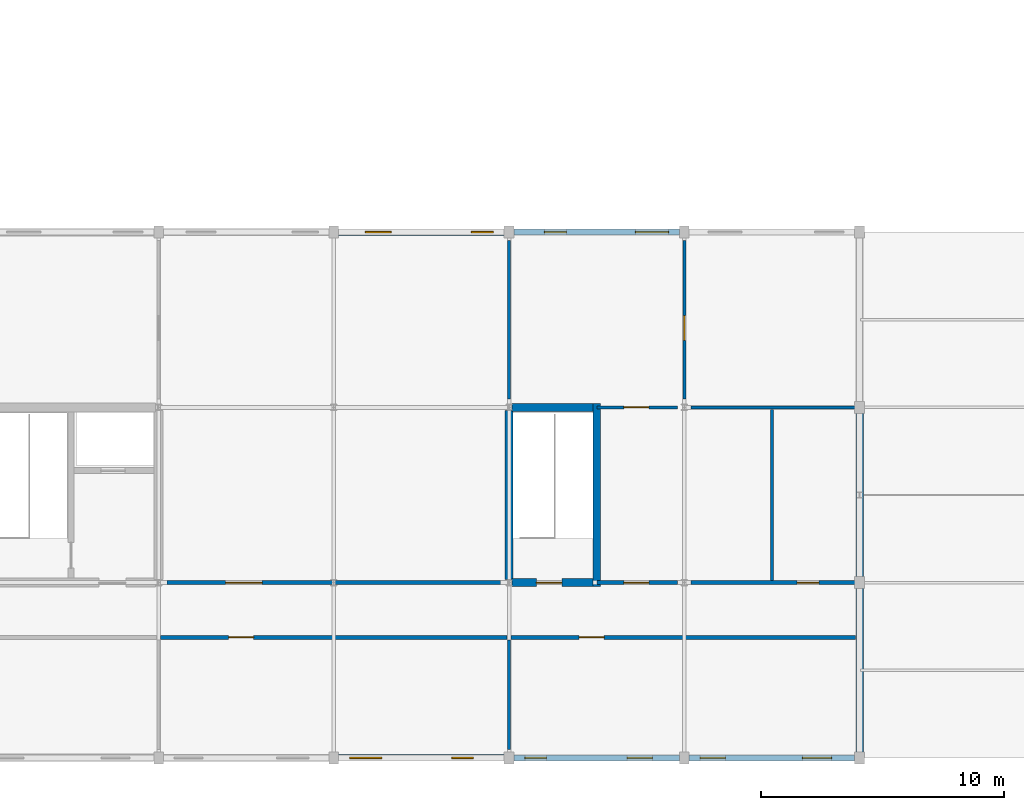
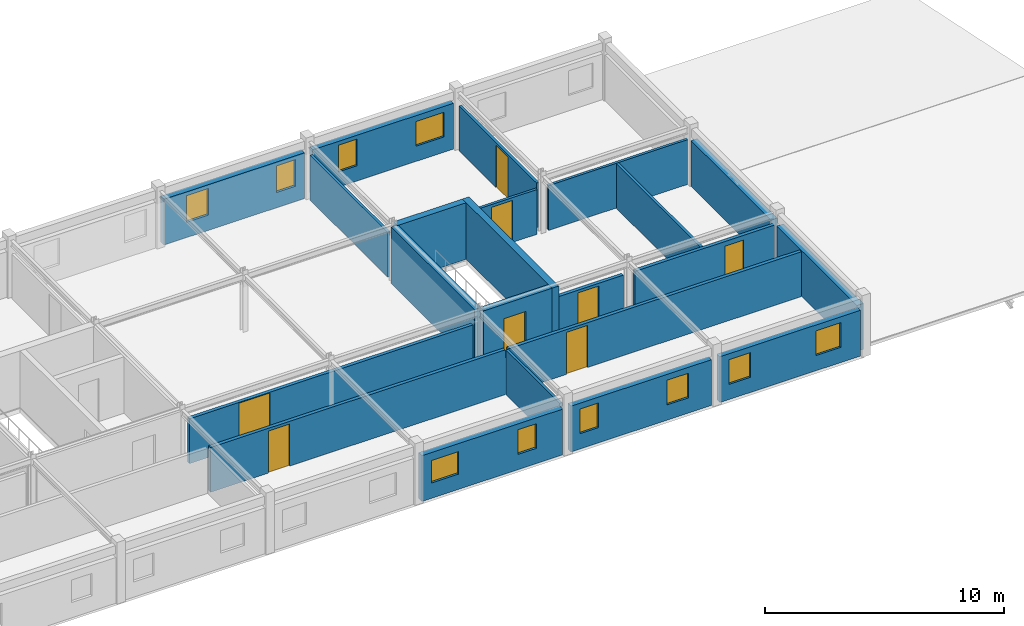
# One storey, part 21 of 50: 22 walls, 10 windows, 8 doors, 18 openings.
"""IFC4 building model written with IfcOpenShell, lengths in metres."""

import ifcopenshell
import ifcopenshell.guid

model = None  # the IFC model being written
_history = None  # IfcOwnerHistory: only IFC2X3 demands one
_inside = {}  # id of a spatial element -> (the spatial element, [elements in it])
_under = {}  # id of a project, library or spatial element -> (it, [spatial elements below it])
_declared = {}  # id of a project -> (the project, [libraries it declares])
_typed = {}  # id of a type object -> (the type object, [elements of that type])
_made_of = {}  # id of a material, layer set ... -> (it, [elements and type objects made of it])


def new_model(schema):
    """Start an empty IFC model of exactly this schema.

    Asked for "IFC4X3", IfcOpenShell would pick the latest addendum, in which some entities
    have other attributes; the version numbers below select the first issue.
    IFC2X3 requires an IfcOwnerHistory on every rooted entity: one is made here for all.
    """
    global model, _history
    if schema == "IFC4X3":
        model = ifcopenshell.file(schema_version=(4, 3, 0, 0))
    else:
        model = ifcopenshell.file(schema=schema)
    _inside.clear()
    _under.clear()
    _declared.clear()
    _typed.clear()
    _made_of.clear()
    _history = None
    if model.schema == "IFC2X3":
        org = make("IfcOrganization", Name="unknown")
        user = make(
            "IfcPersonAndOrganization",
            ThePerson=make("IfcPerson", FamilyName="unknown"),
            TheOrganization=org,
        )
        app = make(
            "IfcApplication",
            ApplicationDeveloper=org,
            Version="unknown",
            ApplicationFullName="unknown",
            ApplicationIdentifier="unknown",
        )
        _history = make(
            "IfcOwnerHistory",
            OwningUser=user,
            OwningApplication=app,
            ChangeAction="ADDED",
            CreationDate=0,
        )
    return model


def make(cls, **values):
    """One entity of the class cls with the attributes given. An attribute that is None is left unset."""
    return model.create_entity(
        cls, **{name: value for name, value in values.items() if value is not None}
    )


def rooted(cls, **values):
    """An entity with a GlobalId (a new one), such as an element, a storey or a relation."""
    return make(cls, GlobalId=ifcopenshell.guid.new(), OwnerHistory=_history, **values)


def si_unit(unit_type, name, prefix=None):
    """IfcSIUnit, for example si_unit("LENGTHUNIT", "METRE", prefix="MILLI")."""
    return make("IfcSIUnit", UnitType=unit_type, Prefix=prefix, Name=name)


def assignment(units):
    """IfcUnitAssignment: the units of a project."""
    return None if units is None else make("IfcUnitAssignment", Units=units)


def point(xyz):
    """IfcCartesianPoint."""
    return None if xyz is None else make("IfcCartesianPoint", Coordinates=xyz)


def direction(xyz):
    """IfcDirection."""
    return None if xyz is None else make("IfcDirection", DirectionRatios=xyz)


def frame(location, z_axis=None, x_axis=None):
    """IfcAxis2Placement3D, a coordinate frame: its origin and axes. An axis left out is left unset."""
    return make(
        "IfcAxis2Placement3D",
        Location=point(location),
        Axis=direction(z_axis),
        RefDirection=direction(x_axis),
    )


def frame_2d(location, x_axis=None):
    """IfcAxis2Placement2D, a coordinate frame in the plane: its origin and x axis."""
    return make(
        "IfcAxis2Placement2D", Location=point(location), RefDirection=direction(x_axis)
    )


def origin():
    """The frame at (0, 0, 0) with its axes left unset."""
    return frame((0.0, 0.0, 0.0))


def place(relative_to, where):
    """IfcLocalPlacement: puts the frame where relative to a parent placement (None: the world)."""
    return make(
        "IfcLocalPlacement", PlacementRelTo=relative_to, RelativePlacement=where
    )


def context(
    kind, dimensions, precision=None, world=None, true_north=None, identifier=None
):
    """IfcGeometricRepresentationContext, for example the 3D "Model" context."""
    return make(
        "IfcGeometricRepresentationContext",
        ContextIdentifier=identifier,
        ContextType=kind,
        CoordinateSpaceDimension=dimensions,
        Precision=precision,
        WorldCoordinateSystem=world,
        TrueNorth=true_north,
    )


def subcontext(parent, identifier, kind, view, scale=None):
    """IfcGeometricRepresentationSubContext, for example "Body" below "Model"."""
    return make(
        "IfcGeometricRepresentationSubContext",
        ContextIdentifier=identifier,
        ContextType=kind,
        ParentContext=parent,
        TargetScale=scale,
        TargetView=view,
    )


def project(units=None, contexts=None):
    """IfcProject with its units and contexts."""
    return rooted(
        "IfcProject",
        Name="project",
        RepresentationContexts=contexts,
        UnitsInContext=assignment(units),
    )


def spatial(cls, under=None, at=None, **own):
    """A site, building, storey or space (cls), placed at a placement, below another one or the project."""
    s = rooted(cls, ObjectPlacement=at, **own)
    if under is not None:
        _under.setdefault(under.id(), (under, []))[1].append(s)
    return s


def profile(cls, at=None, kind="AREA", **sizes):
    """A parametric profile (cls). Its sizes go by their IFC names, for example OverallWidth=200.0."""
    return make(cls, ProfileType=kind, Position=at, **sizes)


def rectangle(**sizes):
    """IfcRectangleProfileDef."""
    return profile("IfcRectangleProfileDef", **sizes)


def extrude(swept, where, along, depth):
    """IfcExtrudedAreaSolid: the profile swept, set in the frame where, extruded along a direction by depth."""
    return make(
        "IfcExtrudedAreaSolid",
        SweptArea=swept,
        Position=where,
        ExtrudedDirection=direction(along),
        Depth=depth,
    )


def shape(context_of_items, identifier, shape_type, items):
    """IfcShapeRepresentation: the items that make up one representation, for example the "Body"."""
    return make(
        "IfcShapeRepresentation",
        ContextOfItems=context_of_items,
        RepresentationIdentifier=identifier,
        RepresentationType=shape_type,
        Items=items,
    )


def material(Name=None, Category=None):
    """IfcMaterial."""
    return make("IfcMaterial", Name=Name, Category=Category)


def layer(
    of_material, thickness, ventilated=None, Name=None, Category=None, Priority=None
):
    """IfcMaterialLayer: one layer of a wall or slab, of a material (None: an air gap)."""
    return make(
        "IfcMaterialLayer",
        Material=of_material,
        LayerThickness=thickness,
        IsVentilated=ventilated,
        Name=Name,
        Category=Category,
        Priority=Priority,
    )


def layer_set(layers, Name=None):
    """IfcMaterialLayerSet."""
    return make("IfcMaterialLayerSet", MaterialLayers=layers, LayerSetName=Name)


def made_of(thing, what):
    """Note that an element or type object is made of a material, layer set ...; save() writes the relation."""
    if what is not None:
        _made_of.setdefault(what.id(), (what, []))[1].append(thing)
    return thing


def type_object(cls, material=None, **own):
    """A type object (cls), such as IfcWallType, which elements share."""
    return made_of(rooted(cls, **own), material)


def element(
    cls,
    number,
    at=None,
    inside=None,
    cuts=None,
    type_object=None,
    material=None,
    context=None,
    identifier="Body",
    shape_type=None,
    held_by="IfcProductDefinitionShape",
    body=None,
    shapes=None,
    **own,
):
    """One element of the class cls, such as IfcWall. Its Tag is "e" and its number.

    at: its placement. inside: the storey or other place that contains it. cuts: it is an
    opening in that element (IfcRelVoidsElement). A single representation is given by context,
    identifier, shape_type and body (its items); several are given by shapes. held_by: the class
    of the entity that holds the representations. save() writes the other relations.
    """
    e = rooted(cls, Tag="e%d" % number, ObjectPlacement=at, **own)
    if body is not None:
        shapes = [shape(context, identifier, shape_type, body)]
    if shapes is not None:
        e.Representation = make(held_by, Representations=shapes)
    if inside is not None:
        _inside.setdefault(inside.id(), (inside, []))[1].append(e)
    if cuts is not None:
        rooted(
            "IfcRelVoidsElement", RelatingBuildingElement=cuts, RelatedOpeningElement=e
        )
    if type_object is not None:
        _typed.setdefault(type_object.id(), (type_object, []))[1].append(e)
    return made_of(e, material)


def fill(opening, filler):
    """IfcRelFillsElement: the door or window that sits in an opening."""
    return rooted(
        "IfcRelFillsElement",
        RelatingOpeningElement=opening,
        RelatedBuildingElement=filler,
    )


def aggregate(whole, parts):
    """IfcRelAggregates: a whole, such as a stair, and the parts it consists of."""
    return rooted("IfcRelAggregates", RelatingObject=whole, RelatedObjects=parts)


def save(model, path):
    """Write the relations noted so far, then the file.

    IfcRelAggregates (storeys below a building ...), IfcRelContainedInSpatialStructure (elements
    in a storey), IfcRelDefinesByType, IfcRelAssociatesMaterial and IfcRelDeclares: one each for
    every whole, place, type object, material and project.
    """
    for whole, parts in _under.values():
        aggregate(whole, parts)
    for where, things in _inside.values():
        rooted(
            "IfcRelContainedInSpatialStructure",
            RelatedElements=things,
            RelatingStructure=where,
        )
    for kind, things in _typed.values():
        rooted("IfcRelDefinesByType", RelatedObjects=things, RelatingType=kind)
    for what, things in _made_of.values():
        rooted("IfcRelAssociatesMaterial", RelatedObjects=things, RelatingMaterial=what)
    for by, libraries in _declared.values():
        rooted("IfcRelDeclares", RelatingContext=by, RelatedDefinitions=libraries)
    model.write(path)


model = new_model("IFC4")

# Units and contexts
model_context = context("Model", 3, precision=1e-05, world=origin(), true_north=direction((0.0, 1.0)))
body_context = subcontext(model_context, "Body", "Model", "MODEL_VIEW")
ifc_project = project(units=[si_unit("LENGTHUNIT", "METRE"), si_unit("AREAUNIT", "SQUARE_METRE"), si_unit("VOLUMEUNIT", "CUBIC_METRE"), si_unit("PLANEANGLEUNIT", "RADIAN"), si_unit("MASSUNIT", "GRAM", prefix="KILO"), si_unit("THERMODYNAMICTEMPERATUREUNIT", "KELVIN"), si_unit("POWERUNIT", "WATT")], contexts=[model_context])

# Site, building, storey
site_placement = place(None, origin())
site = spatial("IfcSite", under=ifc_project, at=site_placement, CompositionType="ELEMENT")
building_placement = place(site_placement, origin())
building = spatial("IfcBuilding", under=site, at=building_placement, Name="Tavuni Mirador Residences", CompositionType="ELEMENT")
storey_placement = place(building_placement, frame((0.0, 0.0, 4.5)))
storey = spatial("IfcBuildingStorey", under=building, at=storey_placement, Name="L01", CompositionType="ELEMENT", Elevation=4.5)

# Walls
ifc_material_1 = material(Name="Precast concrete C40/50", Category="concrete")
ifc_layer_1 = layer(ifc_material_1, 0.320068359375, Name="Precast concrete C40/50", Category="concrete")
ifc_layer_set_1 = layer_set([ifc_layer_1], Name="Precast concrete C40/50")
wall_type_1 = type_object("IfcWallType", Name="WT-COR320", PredefinedType="SHEAR", material=ifc_layer_set_1)
wall_1_placement = place(storey_placement, frame((75.60009765625, 14.52001953125, 0.0), z_axis=(0.0, 0.0, 1.0), x_axis=(0.0, 1.0, 0.0)))
element("IfcWall", 1, at=wall_1_placement, inside=storey, type_object=wall_type_1, Name="CWALL-CS2-L01-W", PredefinedType="SHEAR", context=body_context, shape_type="SweptSolid", body=[
    extrude(rectangle(XDim=6.9599609375, YDim=0.320068359375, at=frame_2d((3.47998046875, 0.0))), origin(), (0.0, 0.0, 1.0), 2.889892578125),
])
wall_2_placement = place(storey_placement, frame((79.199951171875, 14.239990234375, 0.0), z_axis=(0.0, 0.0, 1.0), x_axis=(0.0, 1.0, 0.0)))
element("IfcWall", 2, at=wall_2_placement, inside=storey, type_object=wall_type_1, Name="CWALL-CS2-L01-E", PredefinedType="SHEAR", context=body_context, shape_type="SweptSolid", body=[
    extrude(rectangle(XDim=7.52001953125, YDim=0.320068359375, at=frame_2d((3.760009765625, 0.0))), origin(), (0.0, 0.0, 1.0), 2.889892578125),
])
wall_3_placement = place(storey_placement, frame((75.719970703125, 21.60009765625, 0.0), z_axis=(0.0, 0.0, 1.0), x_axis=(1.0, 0.0, 0.0)))
element("IfcWall", 3, at=wall_3_placement, inside=storey, type_object=wall_type_1, Name="CWALL-CS2-L01-N", PredefinedType="SHEAR", context=body_context, shape_type="SweptSolid", body=[
    extrude(rectangle(XDim=3.320068359375, YDim=0.320068359375, at=frame_2d((1.66015625, 0.0))), origin(), (0.0, 0.0, 1.0), 2.889892578125),
])

# Wall, opening, door
wall_4_placement = place(storey_placement, frame((75.719970703125, 14.39990234375, 0.0), z_axis=(0.0, 0.0, 1.0), x_axis=(1.0, 0.0, 0.0)))
wall_4 = element("IfcWall", 4, at=wall_4_placement, inside=storey, type_object=wall_type_1, Name="CWALL-CS2-L01-SS", PredefinedType="SHEAR", context=body_context, shape_type="SweptSolid", body=[
    extrude(rectangle(XDim=3.320068359375, YDim=0.320068359375, at=frame_2d((1.66015625, 0.0))), origin(), (0.0, 0.0, 1.0), 2.889892578125),
])
opening_1_placement = place(wall_4_placement, frame((1.0, 0.0, 0.0)))
opening_1 = element("IfcOpeningElement", 5, at=opening_1_placement, cuts=wall_4, Name="Opening D-01", PredefinedType="OPENING", context=body_context, shape_type="SweptSolid", body=[
    extrude(rectangle(XDim=1.050048828125, YDim=2.14990234375, at=frame_2d((0.52490234375, 1.074951171875))), frame((0.0, 0.169921875, 0.0), z_axis=(0.0, -1.0, 0.0), x_axis=(1.0, 0.0, 0.0)), (0.0, 0.0, 1.0), 0.340087890625),
])
ifc_material_2 = material(Name="Solid core iroko timber", Category="wood")
door_type_1 = type_object("IfcDoorType", Name="DT-ST1050", OperationType="NOTDEFINED", PredefinedType="DOOR", material=ifc_material_2)
door_1_placement = place(opening_1_placement, frame((1.050048828125, 0.0, 0.0), z_axis=(0.0, 0.0, 1.0), x_axis=(-1.0, 0.0, 0.0)))
door_1 = element("IfcDoor", 6, at=door_1_placement, inside=storey, type_object=door_type_1, Name="DR-2364", OperationType="SINGLE_SWING_LEFT", OverallHeight=2.14990234375, OverallWidth=1.050048828125, PredefinedType="DOOR", context=body_context, shape_type="SweptSolid", body=[
    extrude(rectangle(XDim=1.050048828125, YDim=2.14990234375, at=frame_2d((0.52490234375, 1.074951171875))), frame((0.0, 0.02490234375, 0.0), z_axis=(0.0, -1.0, 0.0), x_axis=(1.0, 0.0, 0.0)), (0.0, 0.0, 1.0), 0.050048828125),
])
fill(opening_1, door_1)

ifc_layer_2 = layer(ifc_material_1, 0.1650390625, Name="Precast concrete C40/50", Category="concrete")
ifc_layer_set_2 = layer_set([ifc_layer_2], Name="Precast concrete C40/50")
wall_type_2 = type_object("IfcWallType", Name="WT-CORR165", PredefinedType="PARTITIONING", material=ifc_layer_set_2)
wall_5_placement = place(storey_placement, frame((61.280029296875, 12.14990234375, 0.0), z_axis=(0.0, 0.0, 1.0), x_axis=(1.0, 0.0, 0.0)))
wall_5 = element("IfcWall", 7, at=wall_5_placement, inside=storey, type_object=wall_type_2, Name="PW-SHOP-L01-CS2", PredefinedType="PARTITIONING", context=body_context, shape_type="SweptSolid", body=[
    extrude(rectangle(XDim=14.239990234375, YDim=0.1650390625, at=frame_2d((7.1201171875, 0.0))), origin(), (0.0, 0.0, 1.0), 2.2900390625),
])
opening_2_placement = place(wall_5_placement, frame((2.800048828125, 0.0, 0.0)))
opening_2 = element("IfcOpeningElement", 8, at=opening_2_placement, cuts=wall_5, Name="Opening D-13", PredefinedType="OPENING", context=body_context, shape_type="SweptSolid", body=[
    extrude(rectangle(XDim=1.02001953125, YDim=2.14990234375, at=frame_2d((0.510009765625, 1.074951171875))), frame((0.0, 0.092529296875, 0.0), z_axis=(0.0, -1.0, 0.0), x_axis=(1.0, 0.0, 0.0)), (0.0, 0.0, 1.0), 0.18505859375),
])
door_type_2 = type_object("IfcDoorType", Name="DT-MTG1020", OperationType="NOTDEFINED", PredefinedType="DOOR", material=ifc_material_2)
door_2_placement = place(opening_2_placement, origin())
door_2 = element("IfcDoor", 9, at=door_2_placement, inside=storey, type_object=door_type_2, Name="DR-4826", OperationType="SINGLE_SWING_LEFT", OverallHeight=2.14990234375, OverallWidth=1.02001953125, PredefinedType="DOOR", context=body_context, shape_type="SweptSolid", body=[
    extrude(rectangle(XDim=1.02001953125, YDim=2.14990234375, at=frame_2d((0.510009765625, 1.074951171875))), frame((0.0, 0.02490234375, 0.0), z_axis=(0.0, -1.0, 0.0), x_axis=(1.0, 0.0, 0.0)), (0.0, 0.0, 1.0), 0.050048828125),
])
fill(opening_2, door_2)

wall_6_placement = place(storey_placement, frame((75.679931640625, 12.14990234375, 0.0), z_axis=(0.0, 0.0, 1.0), x_axis=(1.0, 0.0, 0.0)))
wall_6 = element("IfcWall", 10, at=wall_6_placement, inside=storey, type_object=wall_type_2, Name="PW-SHOP-L01-CS3", PredefinedType="PARTITIONING", context=body_context, shape_type="SweptSolid", body=[
    extrude(rectangle(XDim=14.14501953125, YDim=0.1650390625, at=frame_2d((7.072509765625, 0.0))), origin(), (0.0, 0.0, 1.0), 2.2900390625),
])
opening_3_placement = place(wall_6_placement, frame((2.800048828125, 0.0, 0.0)))
opening_3 = element("IfcOpeningElement", 11, at=opening_3_placement, cuts=wall_6, Name="Opening D-13", PredefinedType="OPENING", context=body_context, shape_type="SweptSolid", body=[
    extrude(rectangle(XDim=1.02001953125, YDim=2.14990234375, at=frame_2d((0.510009765625, 1.074951171875))), frame((0.0, 0.092529296875, 0.0), z_axis=(0.0, -1.0, 0.0), x_axis=(1.0, 0.0, 0.0)), (0.0, 0.0, 1.0), 0.18505859375),
])
door_3_placement = place(opening_3_placement, origin())
door_3 = element("IfcDoor", 12, at=door_3_placement, inside=storey, type_object=door_type_2, Name="DR-4827", OperationType="SINGLE_SWING_RIGHT", OverallHeight=2.14990234375, OverallWidth=1.02001953125, PredefinedType="DOOR", context=body_context, shape_type="SweptSolid", body=[
    extrude(rectangle(XDim=1.02001953125, YDim=2.14990234375, at=frame_2d((0.510009765625, 1.074951171875))), frame((0.0, 0.02490234375, 0.0), z_axis=(0.0, -1.0, 0.0), x_axis=(1.0, 0.0, 0.0)), (0.0, 0.0, 1.0), 0.050048828125),
])
fill(opening_3, door_3)

wall_7_placement = place(storey_placement, frame((61.550048828125, 14.39990234375, 0.0), z_axis=(0.0, 0.0, 1.0), x_axis=(1.0, 0.0, 0.0)))
wall_7 = element("IfcWall", 13, at=wall_7_placement, inside=storey, type_object=wall_type_2, Name="PW-SHOP-L01-CN2", PredefinedType="PARTITIONING", context=body_context, shape_type="SweptSolid", body=[
    extrude(rectangle(XDim=13.699951171875, YDim=0.1650390625, at=frame_2d((6.85009765625, 0.0))), origin(), (0.0, 0.0, 1.0), 2.2900390625),
])
opening_4_placement = place(wall_7_placement, frame((2.39990234375, 0.0, 0.0)))
opening_4 = element("IfcOpeningElement", 14, at=opening_4_placement, cuts=wall_7, Name="Opening D-12", PredefinedType="OPENING", context=body_context, shape_type="SweptSolid", body=[
    extrude(rectangle(XDim=1.5, YDim=2.25, at=frame_2d((0.75, 1.125))), frame((0.0, 0.092529296875, 0.0), z_axis=(0.0, -1.0, 0.0), x_axis=(1.0, 0.0, 0.0)), (0.0, 0.0, 1.0), 0.18505859375),
])
door_type_3 = type_object("IfcDoorType", Name="DT-HAL1500", OperationType="DOUBLE_DOOR_SINGLE_SWING", PredefinedType="DOOR", material=ifc_material_2)
door_4_placement = place(opening_4_placement, origin())
door_4 = element("IfcDoor", 15, at=door_4_placement, inside=storey, type_object=door_type_3, Name="DR-4829", OperationType="DOUBLE_DOOR_SINGLE_SWING", OverallHeight=2.25, OverallWidth=1.5, PredefinedType="DOOR", context=body_context, shape_type="SweptSolid", body=[
    extrude(rectangle(XDim=1.5, YDim=2.25, at=frame_2d((0.75, 1.125))), frame((0.0, 0.02490234375, 0.0), z_axis=(0.0, -1.0, 0.0), x_axis=(1.0, 0.0, 0.0)), (0.0, 0.0, 1.0), 0.050048828125),
])
fill(opening_4, door_4)

wall_8_placement = place(storey_placement, frame((79.219970703125, 14.39990234375, 0.0), z_axis=(0.0, 0.0, 1.0), x_axis=(1.0, 0.0, 0.0)))
wall_8 = element("IfcWall", 16, at=wall_8_placement, inside=storey, type_object=wall_type_2, Name="PW-SHOP-L01-CN3", PredefinedType="PARTITIONING", context=body_context, shape_type="SweptSolid", body=[
    extrude(rectangle(XDim=3.300048828125, YDim=0.1650390625, at=frame_2d((1.64990234375, 0.0))), origin(), (0.0, 0.0, 1.0), 2.2900390625),
])
opening_5_placement = place(wall_8_placement, frame((1.10009765625, 0.0, 0.0)))
opening_5 = element("IfcOpeningElement", 17, at=opening_5_placement, cuts=wall_8, Name="Opening D-13", PredefinedType="OPENING", context=body_context, shape_type="SweptSolid", body=[
    extrude(rectangle(XDim=1.02001953125, YDim=2.14990234375, at=frame_2d((0.510009765625, 1.074951171875))), frame((0.0, 0.092529296875, 0.0), z_axis=(0.0, -1.0, 0.0), x_axis=(1.0, 0.0, 0.0)), (0.0, 0.0, 1.0), 0.18505859375),
])
door_5_placement = place(opening_5_placement, origin())
door_5 = element("IfcDoor", 18, at=door_5_placement, inside=storey, type_object=door_type_2, Name="DR-4830", OperationType="SINGLE_SWING_LEFT", OverallHeight=2.14990234375, OverallWidth=1.02001953125, PredefinedType="DOOR", context=body_context, shape_type="SweptSolid", body=[
    extrude(rectangle(XDim=1.02001953125, YDim=2.14990234375, at=frame_2d((0.510009765625, 1.074951171875))), frame((0.0, 0.02490234375, 0.0), z_axis=(0.0, -1.0, 0.0), x_axis=(1.0, 0.0, 0.0)), (0.0, 0.0, 1.0), 0.050048828125),
])
fill(opening_5, door_5)

wall_9_placement = place(storey_placement, frame((83.080078125, 14.39990234375, 0.0), z_axis=(0.0, 0.0, 1.0), x_axis=(1.0, 0.0, 0.0)))
wall_9 = element("IfcWall", 19, at=wall_9_placement, inside=storey, type_object=wall_type_2, Name="PW-SHOP-L01-CN4", PredefinedType="PARTITIONING", context=body_context, shape_type="SweptSolid", body=[
    extrude(rectangle(XDim=6.744873046875, YDim=0.1650390625, at=frame_2d((3.37255859375, 0.0))), origin(), (0.0, 0.0, 1.0), 2.2900390625),
])
opening_6_placement = place(wall_9_placement, frame((4.35009765625, 0.0, 0.0)))
opening_6 = element("IfcOpeningElement", 20, at=opening_6_placement, cuts=wall_9, Name="Opening D-09", PredefinedType="OPENING", context=body_context, shape_type="SweptSolid", body=[
    extrude(rectangle(XDim=0.89990234375, YDim=2.050048828125, at=frame_2d((0.449951171875, 1.02490234375))), frame((0.0, 0.092529296875, 0.0), z_axis=(0.0, -1.0, 0.0), x_axis=(1.0, 0.0, 0.0)), (0.0, 0.0, 1.0), 0.18505859375),
])
door_type_4 = type_object("IfcDoorType", Name="DT-WC900", OperationType="NOTDEFINED", PredefinedType="DOOR", material=ifc_material_2)
door_6_placement = place(opening_6_placement, origin())
door_6 = element("IfcDoor", 21, at=door_6_placement, inside=storey, type_object=door_type_4, Name="DR-4831", OperationType="SINGLE_SWING_RIGHT", OverallHeight=2.050048828125, OverallWidth=0.89990234375, PredefinedType="DOOR", context=body_context, shape_type="SweptSolid", body=[
    extrude(rectangle(XDim=0.89990234375, YDim=2.050048828125, at=frame_2d((0.449951171875, 1.02490234375))), frame((0.0, 0.02490234375, 0.0), z_axis=(0.0, -1.0, 0.0), x_axis=(1.0, 0.0, 0.0)), (0.0, 0.0, 1.0), 0.050048828125),
])
fill(opening_6, door_6)

# Wall, openings, windows
ifc_material_3 = material(Name="Sgraffito lime-rendered precast concrete C40/50", Category="concrete")
ifc_layer_3 = layer(ifc_material_3, 0.2451171875, Name="Sgraffito lime-rendered precast concrete C40/50", Category="concrete")
ifc_layer_set_3 = layer_set([ifc_layer_3], Name="Sgraffito lime-rendered precast concrete C40/50")
wall_type_3 = type_object("IfcWallType", Name="WT-EXT-PC245", PredefinedType="SOLIDWALL", material=ifc_layer_set_3)
wall_10_placement = place(storey_placement, frame((83.0, 7.199951171875, 0.0), z_axis=(0.0, 0.0, 1.0), x_axis=(1.0, 0.0, 0.0)))
wall_10 = element("IfcWall", 22, at=wall_10_placement, inside=storey, type_object=wall_type_3, Name="EW-PAV-SHOP-L01-S05", PredefinedType="SOLIDWALL", context=body_context, shape_type="SweptSolid", body=[
    extrude(rectangle(XDim=6.800048828125, YDim=0.2451171875, at=frame_2d((3.39990234375, 0.0))), origin(), (0.0, 0.0, 1.0), 2.340087890625),
])
opening_7_placement = place(wall_10_placement, frame((0.449951171875, 0.0, 0.780029296875)))
opening_7 = element("IfcOpeningElement", 23, at=opening_7_placement, cuts=wall_10, Name="Opening WN-11", PredefinedType="OPENING", context=body_context, shape_type="SweptSolid", body=[
    extrude(rectangle(XDim=1.0400390625, YDim=1.260009765625, at=frame_2d((0.52001953125, 0.6298828125))), frame((0.0, 0.132568359375, 0.0), z_axis=(0.0, -1.0, 0.0), x_axis=(1.0, 0.0, 0.0)), (0.0, 0.0, 1.0), 0.26513671875),
])
opening_8_placement = place(wall_10_placement, frame((4.64990234375, 0.0, 0.780029296875)))
opening_8 = element("IfcOpeningElement", 24, at=opening_8_placement, cuts=wall_10, Name="Opening WN-13", PredefinedType="OPENING", context=body_context, shape_type="SweptSolid", body=[
    extrude(rectangle(XDim=1.199951171875, YDim=1.260009765625, at=frame_2d((0.60009765625, 0.6298828125))), frame((0.0, 0.132568359375, 0.0), z_axis=(0.0, -1.0, 0.0), x_axis=(1.0, 0.0, 0.0)), (0.0, 0.0, 1.0), 0.26513671875),
])
ifc_material_4 = material(Name="Laminated solar-control glass", Category="glass")
window_type_1 = type_object("IfcWindowType", Name="WNT-11", PartitioningType="SINGLE_PANEL", PredefinedType="WINDOW", material=ifc_material_4)
window_1_placement = place(opening_7_placement, origin())
window_1 = element("IfcWindow", 25, at=window_1_placement, inside=storey, type_object=window_type_1, Name="WIN-1899", OverallHeight=1.260009765625, OverallWidth=1.0400390625, PartitioningType="SINGLE_PANEL", PredefinedType="WINDOW", context=body_context, shape_type="SweptSolid", body=[
    extrude(rectangle(XDim=1.0400390625, YDim=1.260009765625, at=frame_2d((0.52001953125, 0.6298828125))), frame((0.0, 0.030029296875, 0.0), z_axis=(0.0, -1.0, 0.0), x_axis=(1.0, 0.0, 0.0)), (0.0, 0.0, 1.0), 0.06005859375),
])
fill(opening_7, window_1)
window_type_2 = type_object("IfcWindowType", Name="WNT-13", PartitioningType="SINGLE_PANEL", PredefinedType="WINDOW", material=ifc_material_4)
window_2_placement = place(opening_8_placement, origin())
window_2 = element("IfcWindow", 26, at=window_2_placement, inside=storey, type_object=window_type_2, Name="WIN-1900", OverallHeight=1.260009765625, OverallWidth=1.199951171875, PartitioningType="SINGLE_PANEL", PredefinedType="WINDOW", context=body_context, shape_type="SweptSolid", body=[
    extrude(rectangle(XDim=1.199951171875, YDim=1.260009765625, at=frame_2d((0.60009765625, 0.6298828125))), frame((0.0, 0.030029296875, 0.0), z_axis=(0.0, -1.0, 0.0), x_axis=(1.0, 0.0, 0.0)), (0.0, 0.0, 1.0), 0.06005859375),
])
fill(opening_8, window_2)

ifc_layer_4 = layer(ifc_material_3, 0.2548828125, Name="Sgraffito lime-rendered precast concrete C40/50", Category="concrete")
ifc_layer_set_4 = layer_set([ifc_layer_4], Name="Sgraffito lime-rendered precast concrete C40/50")
wall_type_4 = type_object("IfcWallType", Name="WT-EXT-PC255", PredefinedType="SOLIDWALL", material=ifc_layer_set_4)
wall_11_placement = place(storey_placement, frame((75.800048828125, 7.199951171875, 0.0), z_axis=(0.0, 0.0, 1.0), x_axis=(1.0, 0.0, 0.0)))
wall_11 = element("IfcWall", 27, at=wall_11_placement, inside=storey, type_object=wall_type_4, Name="EW-PAV-SHOP-L01-S04", PredefinedType="SOLIDWALL", context=body_context, shape_type="SweptSolid", body=[
    extrude(rectangle(XDim=6.800048828125, YDim=0.2548828125, at=frame_2d((3.39990234375, 0.0))), origin(), (0.0, 0.0, 1.0), 2.340087890625),
])
opening_9_placement = place(wall_11_placement, frame((0.449951171875, 0.0, 0.780029296875)))
opening_9 = element("IfcOpeningElement", 28, at=opening_9_placement, cuts=wall_11, Name="Opening WN-09", PredefinedType="OPENING", context=body_context, shape_type="SweptSolid", body=[
    extrude(rectangle(XDim=0.8798828125, YDim=1.260009765625, at=frame_2d((0.43994140625, 0.6298828125))), frame((0.0, 0.137451171875, 0.0), z_axis=(0.0, -1.0, 0.0), x_axis=(1.0, 0.0, 0.0)), (0.0, 0.0, 1.0), 0.27490234375),
])
opening_10_placement = place(wall_11_placement, frame((4.64990234375, 0.0, 0.780029296875)))
opening_10 = element("IfcOpeningElement", 29, at=opening_10_placement, cuts=wall_11, Name="Opening WN-11", PredefinedType="OPENING", context=body_context, shape_type="SweptSolid", body=[
    extrude(rectangle(XDim=1.0400390625, YDim=1.260009765625, at=frame_2d((0.52001953125, 0.6298828125))), frame((0.0, 0.137451171875, 0.0), z_axis=(0.0, -1.0, 0.0), x_axis=(1.0, 0.0, 0.0)), (0.0, 0.0, 1.0), 0.27490234375),
])
window_type_3 = type_object("IfcWindowType", Name="WNT-09", PartitioningType="SINGLE_PANEL", PredefinedType="WINDOW", material=ifc_material_4)
window_3_placement = place(opening_9_placement, origin())
window_3 = element("IfcWindow", 30, at=window_3_placement, inside=storey, type_object=window_type_3, Name="WIN-1897", OverallHeight=1.260009765625, OverallWidth=0.8798828125, PartitioningType="SINGLE_PANEL", PredefinedType="WINDOW", context=body_context, shape_type="SweptSolid", body=[
    extrude(rectangle(XDim=0.8798828125, YDim=1.260009765625, at=frame_2d((0.43994140625, 0.6298828125))), frame((0.0, 0.030029296875, 0.0), z_axis=(0.0, -1.0, 0.0), x_axis=(1.0, 0.0, 0.0)), (0.0, 0.0, 1.0), 0.06005859375),
])
fill(opening_9, window_3)
window_4_placement = place(opening_10_placement, origin())
window_4 = element("IfcWindow", 31, at=window_4_placement, inside=storey, type_object=window_type_1, Name="WIN-1898", OverallHeight=1.260009765625, OverallWidth=1.0400390625, PartitioningType="SINGLE_PANEL", PredefinedType="WINDOW", context=body_context, shape_type="SweptSolid", body=[
    extrude(rectangle(XDim=1.0400390625, YDim=1.260009765625, at=frame_2d((0.52001953125, 0.6298828125))), frame((0.0, 0.030029296875, 0.0), z_axis=(0.0, -1.0, 0.0), x_axis=(1.0, 0.0, 0.0)), (0.0, 0.0, 1.0), 0.06005859375),
])
fill(opening_10, window_4)

wall_12_placement = place(storey_placement, frame((82.60009765625, 28.800048828125, 0.0), z_axis=(0.0, 0.0, 1.0), x_axis=(-1.0, 0.0, 0.0)))
wall_12 = element("IfcWall", 32, at=wall_12_placement, inside=storey, type_object=wall_type_4, Name="EW-PAV-SHOP-L01-N04", PredefinedType="SOLIDWALL", context=body_context, shape_type="SweptSolid", body=[
    extrude(rectangle(XDim=6.800048828125, YDim=0.2548828125, at=frame_2d((3.39990234375, 0.0))), origin(), (0.0, 0.0, 1.0), 2.340087890625),
])
opening_11_placement = place(wall_12_placement, frame((0.449951171875, 0.0, 0.780029296875)))
opening_11 = element("IfcOpeningElement", 33, at=opening_11_placement, cuts=wall_12, Name="Opening WN-15", PredefinedType="OPENING", context=body_context, shape_type="SweptSolid", body=[
    extrude(rectangle(XDim=1.360107421875, YDim=1.260009765625, at=frame_2d((0.68017578125, 0.6298828125))), frame((0.0, 0.137451171875, 0.0), z_axis=(0.0, -1.0, 0.0), x_axis=(1.0, 0.0, 0.0)), (0.0, 0.0, 1.0), 0.27490234375),
])
opening_12_placement = place(wall_12_placement, frame((4.64990234375, 0.0, 0.780029296875)))
opening_12 = element("IfcOpeningElement", 34, at=opening_12_placement, cuts=wall_12, Name="Opening WN-17", PredefinedType="OPENING", context=body_context, shape_type="SweptSolid", body=[
    extrude(rectangle(XDim=0.89990234375, YDim=1.360107421875, at=frame_2d((0.449951171875, 0.68017578125))), frame((0.0, 0.137451171875, 0.0), z_axis=(0.0, -1.0, 0.0), x_axis=(1.0, 0.0, 0.0)), (0.0, 0.0, 1.0), 0.27490234375),
])
window_type_4 = type_object("IfcWindowType", Name="WNT-15", PartitioningType="SINGLE_PANEL", PredefinedType="WINDOW", material=ifc_material_4)
window_5_placement = place(opening_11_placement, origin())
window_5 = element("IfcWindow", 35, at=window_5_placement, inside=storey, type_object=window_type_4, Name="WIN-1903", OverallHeight=1.260009765625, OverallWidth=1.360107421875, PartitioningType="SINGLE_PANEL", PredefinedType="WINDOW", context=body_context, shape_type="SweptSolid", body=[
    extrude(rectangle(XDim=1.360107421875, YDim=1.260009765625, at=frame_2d((0.68017578125, 0.6298828125))), frame((0.0, 0.030029296875, 0.0), z_axis=(0.0, -1.0, 0.0), x_axis=(1.0, 0.0, 0.0)), (0.0, 0.0, 1.0), 0.06005859375),
])
fill(opening_11, window_5)
window_type_5 = type_object("IfcWindowType", Name="WNT-17", PartitioningType="SINGLE_PANEL", PredefinedType="WINDOW", material=ifc_material_4)
window_6_placement = place(opening_12_placement, origin())
window_6 = element("IfcWindow", 36, at=window_6_placement, inside=storey, type_object=window_type_5, Name="WIN-1904", OverallHeight=1.360107421875, OverallWidth=0.89990234375, PartitioningType="SINGLE_PANEL", PredefinedType="WINDOW", context=body_context, shape_type="SweptSolid", body=[
    extrude(rectangle(XDim=0.89990234375, YDim=1.360107421875, at=frame_2d((0.449951171875, 0.68017578125))), frame((0.0, 0.030029296875, 0.0), z_axis=(0.0, -1.0, 0.0), x_axis=(1.0, 0.0, 0.0)), (0.0, 0.0, 1.0), 0.06005859375),
])
fill(opening_12, window_6)

ifc_layer_5 = layer(ifc_material_3, 0.27490234375, Name="Sgraffito lime-rendered precast concrete C40/50", Category="concrete")
ifc_layer_set_5 = layer_set([ifc_layer_5], Name="Sgraffito lime-rendered precast concrete C40/50")
wall_type_5 = type_object("IfcWallType", Name="WT-EXT-PC275", PredefinedType="SOLIDWALL", material=ifc_layer_set_5)
wall_13_placement = place(storey_placement, frame((68.60009765625, 7.199951171875, 0.0), z_axis=(0.0, 0.0, 1.0), x_axis=(1.0, 0.0, 0.0)))
wall_13 = element("IfcWall", 37, at=wall_13_placement, inside=storey, type_object=wall_type_5, Name="EW-PAV-SHOP-L01-S03", PredefinedType="SOLIDWALL", context=body_context, shape_type="SweptSolid", body=[
    extrude(rectangle(XDim=6.7998046875, YDim=0.27490234375, at=frame_2d((3.39990234375, 0.0))), origin(), (0.0, 0.0, 1.0), 2.340087890625),
])
opening_13_placement = place(wall_13_placement, frame((0.449951171875, 0.0, 0.780029296875)))
opening_13 = element("IfcOpeningElement", 38, at=opening_13_placement, cuts=wall_13, Name="Opening WN-07", PredefinedType="OPENING", context=body_context, shape_type="SweptSolid", body=[
    extrude(rectangle(XDim=1.320068359375, YDim=1.14990234375, at=frame_2d((0.66015625, 0.574951171875))), frame((0.0, 0.1474609375, 0.0), z_axis=(0.0, -1.0, 0.0), x_axis=(1.0, 0.0, 0.0)), (0.0, 0.0, 1.0), 0.294921875),
])
opening_14_placement = place(wall_13_placement, frame((4.64990234375, 0.0, 0.780029296875)))
opening_14 = element("IfcOpeningElement", 39, at=opening_14_placement, cuts=wall_13, Name="Opening WN-09", PredefinedType="OPENING", context=body_context, shape_type="SweptSolid", body=[
    extrude(rectangle(XDim=0.8798828125, YDim=1.260009765625, at=frame_2d((0.43994140625, 0.6298828125))), frame((0.0, 0.1474609375, 0.0), z_axis=(0.0, -1.0, 0.0), x_axis=(1.0, 0.0, 0.0)), (0.0, 0.0, 1.0), 0.294921875),
])
window_type_6 = type_object("IfcWindowType", Name="WNT-07", PartitioningType="SINGLE_PANEL", PredefinedType="WINDOW", material=ifc_material_4)
window_7_placement = place(opening_13_placement, origin())
window_7 = element("IfcWindow", 40, at=window_7_placement, inside=storey, type_object=window_type_6, Name="WIN-1895", OverallHeight=1.14990234375, OverallWidth=1.320068359375, PartitioningType="SINGLE_PANEL", PredefinedType="WINDOW", context=body_context, shape_type="SweptSolid", body=[
    extrude(rectangle(XDim=1.320068359375, YDim=1.14990234375, at=frame_2d((0.66015625, 0.574951171875))), frame((0.0, 0.030029296875, 0.0), z_axis=(0.0, -1.0, 0.0), x_axis=(1.0, 0.0, 0.0)), (0.0, 0.0, 1.0), 0.06005859375),
])
fill(opening_13, window_7)
window_8_placement = place(opening_14_placement, origin())
window_8 = element("IfcWindow", 41, at=window_8_placement, inside=storey, type_object=window_type_3, Name="WIN-1896", OverallHeight=1.260009765625, OverallWidth=0.8798828125, PartitioningType="SINGLE_PANEL", PredefinedType="WINDOW", context=body_context, shape_type="SweptSolid", body=[
    extrude(rectangle(XDim=0.8798828125, YDim=1.260009765625, at=frame_2d((0.43994140625, 0.6298828125))), frame((0.0, 0.030029296875, 0.0), z_axis=(0.0, -1.0, 0.0), x_axis=(1.0, 0.0, 0.0)), (0.0, 0.0, 1.0), 0.06005859375),
])
fill(opening_14, window_8)

wall_14_placement = place(storey_placement, frame((75.39990234375, 28.800048828125, 0.0), z_axis=(0.0, 0.0, 1.0), x_axis=(-1.0, 0.0, 0.0)))
wall_14 = element("IfcWall", 42, at=wall_14_placement, inside=storey, type_object=wall_type_5, Name="EW-PAV-SHOP-L01-N03", PredefinedType="SOLIDWALL", context=body_context, shape_type="SweptSolid", body=[
    extrude(rectangle(XDim=6.7998046875, YDim=0.27490234375, at=frame_2d((3.39990234375, 0.0))), origin(), (0.0, 0.0, 1.0), 2.340087890625),
])
opening_15_placement = place(wall_14_placement, frame((0.449951171875, 0.0, 0.780029296875)))
opening_15 = element("IfcOpeningElement", 43, at=opening_15_placement, cuts=wall_14, Name="Opening WN-17", PredefinedType="OPENING", context=body_context, shape_type="SweptSolid", body=[
    extrude(rectangle(XDim=0.89990234375, YDim=1.360107421875, at=frame_2d((0.449951171875, 0.68017578125))), frame((0.0, 0.1474609375, 0.0), z_axis=(0.0, -1.0, 0.0), x_axis=(1.0, 0.0, 0.0)), (0.0, 0.0, 1.0), 0.294921875),
])
opening_16_placement = place(wall_14_placement, frame((4.64990234375, 0.0, 0.780029296875)))
opening_16 = element("IfcOpeningElement", 44, at=opening_16_placement, cuts=wall_14, Name="Opening WN-19", PredefinedType="OPENING", context=body_context, shape_type="SweptSolid", body=[
    extrude(rectangle(XDim=1.06005859375, YDim=1.360107421875, at=frame_2d((0.530029296875, 0.68017578125))), frame((0.0, 0.1474609375, 0.0), z_axis=(0.0, -1.0, 0.0), x_axis=(1.0, 0.0, 0.0)), (0.0, 0.0, 1.0), 0.294921875),
])
window_9_placement = place(opening_15_placement, origin())
window_9 = element("IfcWindow", 45, at=window_9_placement, inside=storey, type_object=window_type_5, Name="WIN-1905", OverallHeight=1.360107421875, OverallWidth=0.89990234375, PartitioningType="SINGLE_PANEL", PredefinedType="WINDOW", context=body_context, shape_type="SweptSolid", body=[
    extrude(rectangle(XDim=0.89990234375, YDim=1.360107421875, at=frame_2d((0.449951171875, 0.68017578125))), frame((0.0, 0.030029296875, 0.0), z_axis=(0.0, -1.0, 0.0), x_axis=(1.0, 0.0, 0.0)), (0.0, 0.0, 1.0), 0.06005859375),
])
fill(opening_15, window_9)
window_type_7 = type_object("IfcWindowType", Name="WNT-19", PartitioningType="SINGLE_PANEL", PredefinedType="WINDOW", material=ifc_material_4)
window_10_placement = place(opening_16_placement, origin())
window_10 = element("IfcWindow", 46, at=window_10_placement, inside=storey, type_object=window_type_7, Name="WIN-1906", OverallHeight=1.360107421875, OverallWidth=1.06005859375, PartitioningType="SINGLE_PANEL", PredefinedType="WINDOW", context=body_context, shape_type="SweptSolid", body=[
    extrude(rectangle(XDim=1.06005859375, YDim=1.360107421875, at=frame_2d((0.530029296875, 0.68017578125))), frame((0.0, 0.030029296875, 0.0), z_axis=(0.0, -1.0, 0.0), x_axis=(1.0, 0.0, 0.0)), (0.0, 0.0, 1.0), 0.06005859375),
])
fill(opening_16, window_10)

# Walls
ifc_layer_6 = layer(ifc_material_3, 0.304931640625, Name="Sgraffito lime-rendered precast concrete C40/50", Category="concrete")
ifc_layer_set_6 = layer_set([ifc_layer_6], Name="Sgraffito lime-rendered precast concrete C40/50")
wall_type_6 = type_object("IfcWallType", Name="WT-EXT-PC305", PredefinedType="SOLIDWALL", material=ifc_layer_set_6)
wall_15_placement = place(storey_placement, frame((90.0, 14.64990234375, 0.0), z_axis=(0.0, 0.0, 1.0), x_axis=(0.0, 1.0, 0.0)))
element("IfcWall", 47, at=wall_15_placement, inside=storey, type_object=wall_type_6, Name="EW-PAV-SHOP-L01-E01", PredefinedType="SOLIDWALL", context=body_context, shape_type="SweptSolid", body=[
    extrude(rectangle(XDim=6.7001953125, YDim=0.304931640625, at=frame_2d((3.35009765625, 0.0))), origin(), (0.0, 0.0, 1.0), 2.340087890625),
])
ifc_layer_7 = layer(ifc_material_3, 0.31494140625, Name="Sgraffito lime-rendered precast concrete C40/50", Category="concrete")
ifc_layer_set_7 = layer_set([ifc_layer_7], Name="Sgraffito lime-rendered precast concrete C40/50")
wall_type_7 = type_object("IfcWallType", Name="WT-EXT-PC315", PredefinedType="SOLIDWALL", material=ifc_layer_set_7)
wall_16_placement = place(storey_placement, frame((90.0, 7.449951171875, 0.0), z_axis=(0.0, 0.0, 1.0), x_axis=(0.0, 1.0, 0.0)))
element("IfcWall", 48, at=wall_16_placement, inside=storey, type_object=wall_type_7, Name="EW-PAV-SHOP-L01-E00", PredefinedType="SOLIDWALL", context=body_context, shape_type="SweptSolid", body=[
    extrude(rectangle(XDim=6.699951171875, YDim=0.31494140625, at=frame_2d((3.35009765625, 0.0))), origin(), (0.0, 0.0, 1.0), 2.340087890625),
])
ifc_material_5 = material(Name="Acoustic gypsum and concrete block partition", Category="concrete")
ifc_layer_8 = layer(ifc_material_5, 0.125, Name="Acoustic gypsum and concrete block partition", Category="concrete")
ifc_layer_set_8 = layer_set([ifc_layer_8], Name="Acoustic gypsum and concrete block partition")
wall_type_8 = type_object("IfcWallType", Name="WT-PART125", PredefinedType="PARTITIONING", material=ifc_layer_set_8)
wall_17_placement = place(storey_placement, frame((75.60009765625, 7.550048828125, 0.0), z_axis=(0.0, 0.0, 1.0), x_axis=(0.0, 1.0, 0.0)))
element("IfcWall", 49, at=wall_17_placement, inside=storey, type_object=wall_type_8, Name="PW-SHOP-L01-SV2", PredefinedType="PARTITIONING", context=body_context, shape_type="SweptSolid", body=[
    extrude(rectangle(XDim=4.5, YDim=0.125, at=frame_2d((2.25, 0.0))), origin(), (0.0, 0.0, 1.0), 2.2900390625),
])
wall_18_placement = place(storey_placement, frame((75.60009765625, 21.949951171875, 0.0), z_axis=(0.0, 0.0, 1.0), x_axis=(0.0, 1.0, 0.0)))
element("IfcWall", 50, at=wall_18_placement, inside=storey, type_object=wall_type_8, Name="PW-SHOP-L01-CLGE", PredefinedType="PARTITIONING", context=body_context, shape_type="SweptSolid", body=[
    extrude(rectangle(XDim=6.5, YDim=0.125, at=frame_2d((3.25, 0.0))), origin(), (0.0, 0.0, 1.0), 2.2900390625),
])
wall_19_placement = place(storey_placement, frame((86.39990234375, 14.47998046875, 0.0), z_axis=(0.0, 0.0, 1.0), x_axis=(0.0, 1.0, 0.0)))
element("IfcWall", 51, at=wall_19_placement, inside=storey, type_object=wall_type_8, Name="PW-SHOP-L01-WCV", PredefinedType="PARTITIONING", context=body_context, shape_type="SweptSolid", body=[
    extrude(rectangle(XDim=7.0400390625, YDim=0.125, at=frame_2d((3.52001953125, 0.0))), origin(), (0.0, 0.0, 1.0), 2.2900390625),
])

# Wall, opening, door
wall_20_placement = place(storey_placement, frame((79.219970703125, 21.60009765625, 0.0), z_axis=(0.0, 0.0, 1.0), x_axis=(1.0, 0.0, 0.0)))
wall_20 = element("IfcWall", 52, at=wall_20_placement, inside=storey, type_object=wall_type_8, Name="PW-SHOP-L01-WCN1", PredefinedType="PARTITIONING", context=body_context, shape_type="SweptSolid", body=[
    extrude(rectangle(XDim=3.300048828125, YDim=0.125, at=frame_2d((1.64990234375, 0.0))), origin(), (0.0, 0.0, 1.0), 2.2900390625),
])
opening_17_placement = place(wall_20_placement, frame((1.10009765625, 0.0, 0.0)))
opening_17 = element("IfcOpeningElement", 53, at=opening_17_placement, cuts=wall_20, Name="Opening D-13", PredefinedType="OPENING", context=body_context, shape_type="SweptSolid", body=[
    extrude(rectangle(XDim=1.02001953125, YDim=2.14990234375, at=frame_2d((0.510009765625, 1.074951171875))), frame((0.0, 0.072509765625, 0.0), z_axis=(0.0, -1.0, 0.0), x_axis=(1.0, 0.0, 0.0)), (0.0, 0.0, 1.0), 0.14501953125),
])
door_7_placement = place(opening_17_placement, origin())
door_7 = element("IfcDoor", 54, at=door_7_placement, inside=storey, type_object=door_type_2, Name="DR-4833", OperationType="SINGLE_SWING_RIGHT", OverallHeight=2.14990234375, OverallWidth=1.02001953125, PredefinedType="DOOR", context=body_context, shape_type="SweptSolid", body=[
    extrude(rectangle(XDim=1.02001953125, YDim=2.14990234375, at=frame_2d((0.510009765625, 1.074951171875))), frame((0.0, 0.02490234375, 0.0), z_axis=(0.0, -1.0, 0.0), x_axis=(1.0, 0.0, 0.0)), (0.0, 0.0, 1.0), 0.050048828125),
])
fill(opening_17, door_7)

# Wall
wall_21_placement = place(storey_placement, frame((83.080078125, 21.60009765625, 0.0), z_axis=(0.0, 0.0, 1.0), x_axis=(1.0, 0.0, 0.0)))
element("IfcWall", 55, at=wall_21_placement, inside=storey, type_object=wall_type_8, Name="PW-SHOP-L01-WCN2", PredefinedType="PARTITIONING", context=body_context, shape_type="SweptSolid", body=[
    extrude(rectangle(XDim=6.744873046875, YDim=0.125, at=frame_2d((3.37255859375, 0.0))), origin(), (0.0, 0.0, 1.0), 2.2900390625),
])

# Wall, opening, door
wall_22_placement = place(storey_placement, frame((82.800048828125, 21.949951171875, 0.0), z_axis=(0.0, 0.0, 1.0), x_axis=(0.0, 1.0, 0.0)))
wall_22 = element("IfcWall", 56, at=wall_22_placement, inside=storey, type_object=wall_type_8, Name="PW-SHOP-L01-TXV", PredefinedType="PARTITIONING", context=body_context, shape_type="SweptSolid", body=[
    extrude(rectangle(XDim=6.5, YDim=0.125, at=frame_2d((3.25, 0.0))), origin(), (0.0, 0.0, 1.0), 2.2900390625),
])
opening_18_placement = place(wall_22_placement, frame((2.39990234375, 0.0, 0.0)))
opening_18 = element("IfcOpeningElement", 57, at=opening_18_placement, cuts=wall_22, Name="Opening D-13", PredefinedType="OPENING", context=body_context, shape_type="SweptSolid", body=[
    extrude(rectangle(XDim=1.02001953125, YDim=2.14990234375, at=frame_2d((0.510009765625, 1.074951171875))), frame((0.0, 0.072509765625, 0.0), z_axis=(0.0, -1.0, 0.0), x_axis=(1.0, 0.0, 0.0)), (0.0, 0.0, 1.0), 0.14501953125),
])
door_8_placement = place(opening_18_placement, origin())
door_8 = element("IfcDoor", 58, at=door_8_placement, inside=storey, type_object=door_type_2, Name="DR-4834", OperationType="SINGLE_SWING_LEFT", OverallHeight=2.14990234375, OverallWidth=1.02001953125, PredefinedType="DOOR", context=body_context, shape_type="SweptSolid", body=[
    extrude(rectangle(XDim=1.02001953125, YDim=2.14990234375, at=frame_2d((0.510009765625, 1.074951171875))), frame((0.0, 0.02490234375, 0.0), z_axis=(0.0, -1.0, 0.0), x_axis=(1.0, 0.0, 0.0)), (0.0, 0.0, 1.0), 0.050048828125),
])
fill(opening_18, door_8)

save(model, "model.ifc")
